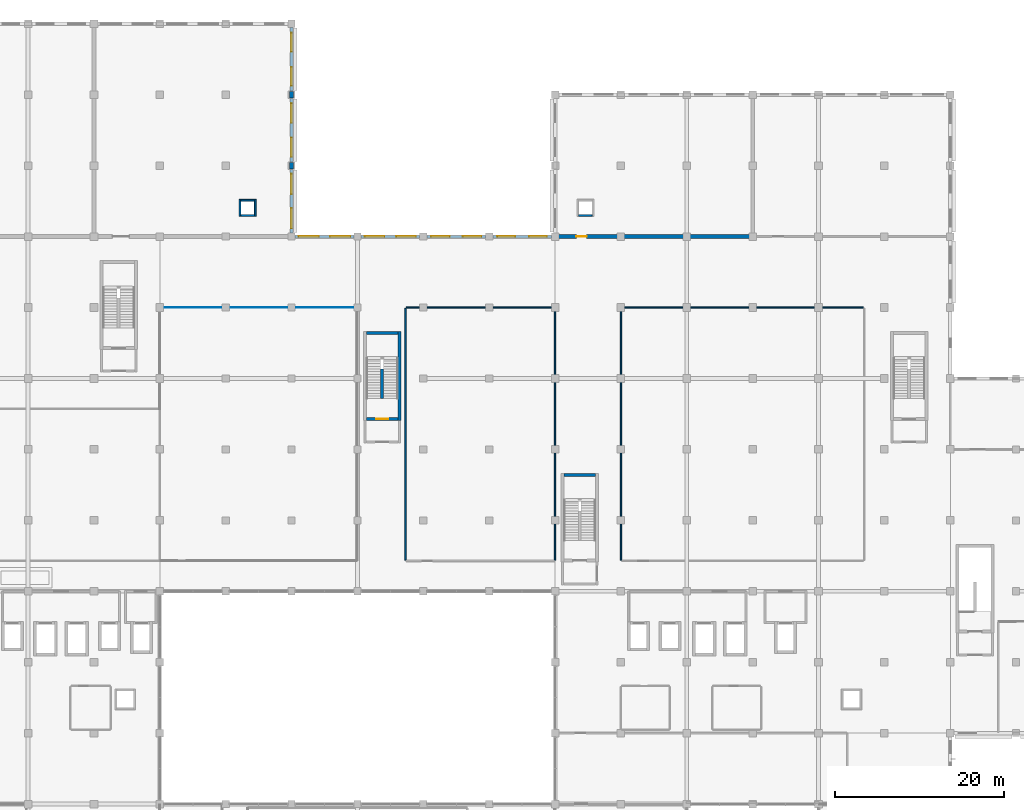
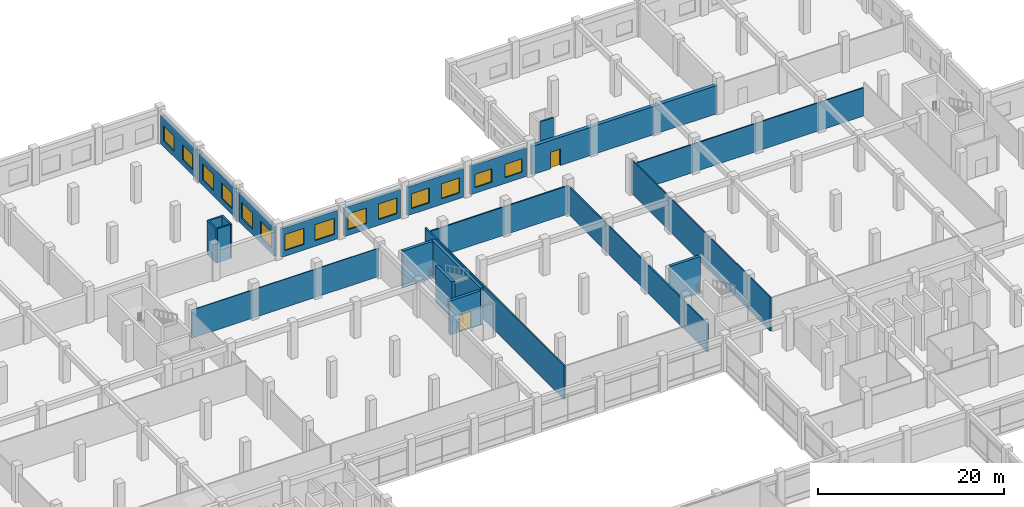
# One storey, part 61 of 79: 26 walls, 14 windows, 2 doors, 16 openings.
"""IFC4 building model written with IfcOpenShell, lengths in metres."""

from ifc_helpers import new_model, si_unit, direction, frame, frame_2d, origin, place, context, subcontext, project, spatial, rectangle, extrude, material, layer, layer_set, type_object, element, fill, save


model = new_model("IFC4")

# Units and contexts
model_context = context("Model", 3, precision=1e-05, world=origin(), true_north=direction((0.0, 1.0)))
body_context = subcontext(model_context, "Body", "Model", "MODEL_VIEW")
ifc_project = project(units=[si_unit("LENGTHUNIT", "METRE"), si_unit("AREAUNIT", "SQUARE_METRE"), si_unit("VOLUMEUNIT", "CUBIC_METRE"), si_unit("PLANEANGLEUNIT", "RADIAN"), si_unit("MASSUNIT", "GRAM", prefix="KILO"), si_unit("THERMODYNAMICTEMPERATUREUNIT", "KELVIN"), si_unit("POWERUNIT", "WATT")], contexts=[model_context])

# Site, building, storey
site_placement = place(None, origin())
site = spatial("IfcSite", under=ifc_project, at=site_placement, CompositionType="ELEMENT")
building_placement = place(site_placement, origin())
building = spatial("IfcBuilding", under=site, at=building_placement, Name="Srebrne Nadtorze General Hospital", CompositionType="ELEMENT")
storey_placement = place(building_placement, frame((0.0, 0.0, 4.800048828125)))
storey = spatial("IfcBuildingStorey", under=building, at=storey_placement, Name="L01", CompositionType="ELEMENT", Elevation=4.800048828125)

# Walls
ifc_material_1 = material(Name="Gypsum Healthcare Partition")
ifc_layer_1 = layer(ifc_material_1, 0.139892578125)
ifc_layer_set_1 = layer_set([ifc_layer_1], Name="Gypsum Healthcare Partition")
wall_type_1 = type_object("IfcWallType", Name="Clinical partition 140", PredefinedType="PARTITIONING", material=ifc_layer_set_1)
wall_1_placement = place(storey_placement, frame((109.284912109375, 84.0, 0.0), z_axis=(0.0, 0.0, 1.0), x_axis=(1.0, 0.0, 0.0)))
element("IfcWall", 1, at=wall_1_placement, inside=storey, type_object=wall_type_1, Name="Nuclear Medicine Diagnostics wall WL-INT-L01-1448", PredefinedType="PARTITIONING", context=body_context, shape_type="SweptSolid", body=[
    extrude(rectangle(XDim=28.630126953125, YDim=0.139892578125, at=frame_2d((14.31494140625, 0.0))), origin(), (0.0, 0.0, 1.0), 3.699951171875),
])
wall_2_placement = place(storey_placement, frame((109.199951171875, 54.0849609375, 0.0), z_axis=(0.0, 0.0, 1.0), x_axis=(0.0, 1.0, 0.0)))
element("IfcWall", 2, at=wall_2_placement, inside=storey, type_object=wall_type_1, Name="Nuclear Medicine Diagnostics wall WL-INT-L01-1449", PredefinedType="PARTITIONING", context=body_context, shape_type="SweptSolid", body=[
    extrude(rectangle(XDim=29.830078125, YDim=0.139892578125, at=frame_2d((14.9150390625, 0.0))), origin(), (0.0, 0.0, 1.0), 4.429931640625),
])
ifc_material_2 = material(Name="Gypsum Healthcare Partition")
ifc_layer_2 = layer(ifc_material_2, 0.159912109375)
ifc_layer_set_2 = layer_set([ifc_layer_2], Name="Gypsum Healthcare Partition")
wall_type_2 = type_object("IfcWallType", Name="Clinical partition 160", PredefinedType="PARTITIONING", material=ifc_layer_set_2)
wall_3_placement = place(storey_placement, frame((83.760009765625, 84.0, 0.0), z_axis=(0.0, 0.0, 1.0), x_axis=(1.0, 0.0, 0.0)))
element("IfcWall", 3, at=wall_3_placement, inside=storey, type_object=wall_type_2, Name="Radiology Reporting Workroom wall WL-INT-L01-1444", PredefinedType="PARTITIONING", context=body_context, shape_type="SweptSolid", body=[
    extrude(rectangle(XDim=17.554931640625, YDim=0.159912109375, at=frame_2d((8.77734375, 0.0))), origin(), (0.0, 0.0, 1.0), 3.699951171875),
])
wall_4_placement = place(storey_placement, frame((83.675048828125, 54.0849609375, 0.0), z_axis=(0.0, 0.0, 1.0), x_axis=(0.0, 1.0, 0.0)))
element("IfcWall", 4, at=wall_4_placement, inside=storey, type_object=wall_type_2, Name="Radiology Reporting Workroom wall WL-INT-L01-1445", PredefinedType="PARTITIONING", context=body_context, shape_type="SweptSolid", body=[
    extrude(rectangle(XDim=29.830078125, YDim=0.159912109375, at=frame_2d((14.9150390625, 0.0))), origin(), (0.0, 0.0, 1.0), 4.429931640625),
])
wall_5_placement = place(storey_placement, frame((101.39990234375, 54.0849609375, 0.0), z_axis=(0.0, 0.0, 1.0), x_axis=(0.0, 1.0, 0.0)))
element("IfcWall", 5, at=wall_5_placement, inside=storey, type_object=wall_type_2, Name="Radiology Reporting Workroom wall WL-INT-L01-1446", PredefinedType="PARTITIONING", context=body_context, shape_type="SweptSolid", body=[
    extrude(rectangle(XDim=29.830078125, YDim=0.159912109375, at=frame_2d((14.9150390625, 0.0))), origin(), (0.0, 0.0, 1.0), 3.699951171875),
])
ifc_material_3 = material(Name="Gypsum Healthcare Partition")
ifc_layer_3 = layer(ifc_material_3, 0.199951171875)
ifc_layer_set_3 = layer_set([ifc_layer_3], Name="Gypsum Healthcare Partition")
wall_type_3 = type_object("IfcWallType", Name="Compartment wall 200", PredefinedType="STANDARD", material=ifc_layer_set_3)
for number, where, z_axis, x_axis, name in (
    (6, (64.10009765625, 94.800048828125, 0.0), (0.0, 0.0, 1.0), (0.0, 1.0, 0.0), "MEP riser wall WL-INT-L01-0965"),
    (7, (65.89990234375, 94.800048828125, 0.0), (0.0, 0.0, 1.0), (0.0, 1.0, 0.0), "MEP riser wall WL-INT-L01-0966"),
):
    element("IfcWall", number, at=place(storey_placement, frame(where, z_axis=z_axis, x_axis=x_axis)), inside=storey, type_object=wall_type_3, Name=name, PredefinedType="STANDARD", context=body_context, shape_type="SweptSolid", body=[
        extrude(rectangle(XDim=2.0, YDim=0.199951171875, at=frame_2d((1.0, 0.0))), origin(), (0.0, 0.0, 1.0), 4.449951171875),
    ])
for number, where, z_axis, x_axis, name in (
    (8, (64.199951171875, 94.89990234375, 0.0), (0.0, 0.0, 1.0), (1.0, 0.0, 0.0), "MEP riser wall WL-INT-L01-0967"),
    (9, (64.199951171875, 96.699951171875, 0.0), (0.0, 0.0, 1.0), (1.0, 0.0, 0.0), "MEP riser wall WL-INT-L01-0968"),
    (10, (104.199951171875, 94.89990234375, 0.0), (0.0, 0.0, 1.0), (1.0, 0.0, 0.0), "MEP riser wall WL-INT-L01-0971"),
):
    element("IfcWall", number, at=place(storey_placement, frame(where, z_axis=z_axis, x_axis=x_axis)), inside=storey, type_object=wall_type_3, Name=name, PredefinedType="STANDARD", context=body_context, shape_type="SweptSolid", body=[
        extrude(rectangle(XDim=1.60009765625, YDim=0.199951171875, at=frame_2d((0.800048828125, 0.0))), origin(), (0.0, 0.0, 1.0), 4.449951171875),
    ])
ifc_material_4 = material(Name="Concrete C35/45", Category="concrete")
ifc_layer_4 = layer(ifc_material_4, 0.449951171875)
ifc_layer_set_4 = layer_set([ifc_layer_4], Name="Concrete C35/45")
wall_type_4 = type_object("IfcWallType", Name="Radiation shield wall 450", PredefinedType="STANDARD", material=ifc_layer_set_4)
for number, where, z_axis, x_axis, name in (
    (11, (70.199951171875, 100.4150390625, 0.0), (0.0, 0.0, 1.0), (0.0, 1.0, 0.0), "Diagnostic Imaging CT Suite wall WL-INT-L01-1424"),
    (12, (70.199951171875, 108.81494140625, 0.0), (0.0, 0.0, 1.0), (0.0, 1.0, 0.0), "Diagnostic Imaging CT Suite wall WL-INT-L01-1425"),
):
    element("IfcWall", number, at=place(storey_placement, frame(where, z_axis=z_axis, x_axis=x_axis)), inside=storey, type_object=wall_type_4, Name=name, PredefinedType="STANDARD", context=body_context, shape_type="SweptSolid", body=[
        extrude(rectangle(XDim=0.77001953125, YDim=0.449951171875, at=frame_2d((0.385009765625, 0.0))), origin(), (0.0, 0.0, 1.0), 3.699951171875),
    ])

# Wall, opening, door
wall_6_placement = place(storey_placement, frame((101.614990234375, 92.39990234375, 0.0), z_axis=(0.0, 0.0, 1.0), x_axis=(1.0, 0.0, 0.0)))
wall_6 = element("IfcWall", 13, at=wall_6_placement, inside=storey, type_object=wall_type_4, Name="Diagnostic Imaging Radiography wall WL-INT-L01-1426", PredefinedType="STANDARD", context=body_context, shape_type="SweptSolid", body=[
    extrude(rectangle(XDim=22.969970703125, YDim=0.449951171875, at=frame_2d((11.48486328125, 0.0))), origin(), (0.0, 0.0, 1.0), 3.699951171875),
])
opening_1_placement = place(wall_6_placement, frame((2.318115234375, 0.0, 0.0)))
opening_1 = element("IfcOpeningElement", 14, at=opening_1_placement, cuts=wall_6, Name="Opening D-L01-0222", PredefinedType="OPENING", context=body_context, shape_type="SweptSolid", body=[
    extrude(rectangle(XDim=1.199951171875, YDim=2.14990234375, at=frame_2d((0.60009765625, 1.074951171875))), frame((0.0, 0.23681640625, 0.0), z_axis=(0.0, -1.0, 0.0), x_axis=(1.0, 0.0, 0.0)), (0.0, 0.0, 1.0), 0.473876953125),
])
ifc_material_5 = material(Name="Anodised Aluminium", Category="aluminium")
door_type_1 = type_object("IfcDoorType", Name="Single leaf door 1200x2150", OperationType="NOTDEFINED", PredefinedType="DOOR", material=ifc_material_5)
door_1_placement = place(opening_1_placement, origin())
door_1 = element("IfcDoor", 15, at=door_1_placement, inside=storey, type_object=door_type_1, Name="Diagnostic Imaging Radiography door D-L01-0222", OperationType="SINGLE_SWING_LEFT", OverallHeight=2.14990234375, OverallWidth=1.199951171875, PredefinedType="DOOR", context=body_context, shape_type="SweptSolid", body=[
    extrude(rectangle(XDim=1.199951171875, YDim=2.14990234375, at=frame_2d((0.60009765625, 1.074951171875))), frame((0.0, 0.02490234375, 0.0), z_axis=(0.0, -1.0, 0.0), x_axis=(1.0, 0.0, 0.0)), (0.0, 0.0, 1.0), 0.050048828125),
])
fill(opening_1, door_1)

# Walls
ifc_material_6 = material(Name="Gypsum Healthcare Partition")
ifc_layer_5 = layer(ifc_material_6, 0.10009765625)
ifc_layer_set_5 = layer_set([ifc_layer_5], Name="Gypsum Healthcare Partition")
wall_type_5 = type_object("IfcWallType", Name="Shaft lining wall 100", PredefinedType="PARTITIONING", material=ifc_layer_set_5)
wall_7_placement = place(storey_placement, frame((54.68505859375, 84.0, 0.0), z_axis=(0.0, 0.0, 1.0), x_axis=(1.0, 0.0, 0.0)))
element("IfcWall", 16, at=wall_7_placement, inside=storey, type_object=wall_type_5, Name="Angiography and Fluoroscopy Suite wall WL-INT-L01-1440", PredefinedType="PARTITIONING", context=body_context, shape_type="SweptSolid", body=[
    extrude(rectangle(XDim=23.22998046875, YDim=0.10009765625, at=frame_2d((11.614990234375, 0.0))), origin(), (0.0, 0.0, 1.0), 3.699951171875),
])
ifc_material_7 = material(Name="Concrete C40/50", Category="concrete")
ifc_layer_6 = layer(ifc_material_7, 0.35009765625)
ifc_layer_set_6 = layer_set([ifc_layer_6], Name="Concrete C40/50")
wall_type_6 = type_object("IfcWallType", Name="Shear core wall 350", PredefinedType="SHEAR", material=ifc_layer_set_6)
wall_8_placement = place(storey_placement, frame((102.449951171875, 64.175048828125, 0.0), z_axis=(0.0, 0.0, 1.0), x_axis=(1.0, 0.0, 0.0)))
element("IfcWall", 17, at=wall_8_placement, inside=storey, type_object=wall_type_6, Name="Stair core wall ST-03 WL-INT-L01-0147", PredefinedType="SHEAR", context=body_context, shape_type="SweptSolid", body=[
    extrude(rectangle(XDim=3.75, YDim=0.35009765625, at=frame_2d((1.875, 0.0))), origin(), (0.0, 0.0, 1.0), 4.800048828125),
])
wall_9_placement = place(storey_placement, frame((82.97509765625, 70.64990234375, 0.0), z_axis=(0.0, 0.0, 1.0), x_axis=(0.0, 1.0, 0.0)))
element("IfcWall", 18, at=wall_9_placement, inside=storey, type_object=wall_type_6, Name="Stair core wall ST-07 WL-INT-L01-0178", PredefinedType="SHEAR", context=body_context, shape_type="SweptSolid", body=[
    extrude(rectangle(XDim=10.5, YDim=0.35009765625, at=frame_2d((5.25, 0.0))), origin(), (0.0, 0.0, 1.0), 4.800048828125),
])
wall_10_placement = place(storey_placement, frame((79.050048828125, 80.97509765625, 0.0), z_axis=(0.0, 0.0, 1.0), x_axis=(1.0, 0.0, 0.0)))
element("IfcWall", 19, at=wall_10_placement, inside=storey, type_object=wall_type_6, Name="Stair core wall ST-07 WL-INT-L01-0179", PredefinedType="SHEAR", context=body_context, shape_type="SweptSolid", body=[
    extrude(rectangle(XDim=3.75, YDim=0.35009765625, at=frame_2d((1.875, 0.0))), origin(), (0.0, 0.0, 1.0), 4.800048828125),
])

# Wall, opening, door
wall_11_placement = place(storey_placement, frame((79.050048828125, 70.824951171875, 0.0), z_axis=(0.0, 0.0, 1.0), x_axis=(1.0, 0.0, 0.0)))
wall_11 = element("IfcWall", 20, at=wall_11_placement, inside=storey, type_object=wall_type_6, Name="Stairwell fire wall ST-07 WL-INT-L01-0180", PredefinedType="SHEAR", context=body_context, shape_type="SweptSolid", body=[
    extrude(rectangle(XDim=3.75, YDim=0.35009765625, at=frame_2d((1.875, 0.0))), origin(), (0.0, 0.0, 1.0), 4.449951171875),
])
opening_2_placement = place(wall_11_placement, frame((1.14990234375, 0.0, 0.0)))
opening_2 = element("IfcOpeningElement", 21, at=opening_2_placement, cuts=wall_11, Name="Opening D-L01-0045", PredefinedType="OPENING", context=body_context, shape_type="SweptSolid", body=[
    extrude(rectangle(XDim=1.449951171875, YDim=2.199951171875, at=frame_2d((0.72509765625, 1.10009765625))), frame((0.0, 0.18701171875, 0.0), z_axis=(0.0, -1.0, 0.0), x_axis=(1.0, 0.0, 0.0)), (0.0, 0.0, 1.0), 0.3740234375),
])
ifc_material_8 = material(Name="Anodised Aluminium", Category="aluminium")
door_type_2 = type_object("IfcDoorType", Name="Double leaf door 1450x2200", OperationType="DOUBLE_DOOR_SINGLE_SWING", PredefinedType="DOOR", material=ifc_material_8)
door_2_placement = place(opening_2_placement, origin())
door_2 = element("IfcDoor", 22, at=door_2_placement, inside=storey, type_object=door_type_2, Name="Protected stair door ST-07 D-L01-0045", OperationType="DOUBLE_DOOR_SINGLE_SWING", OverallHeight=2.199951171875, OverallWidth=1.449951171875, PredefinedType="DOOR", context=body_context, shape_type="SweptSolid", body=[
    extrude(rectangle(XDim=1.449951171875, YDim=2.199951171875, at=frame_2d((0.72509765625, 1.10009765625))), frame((0.0, 0.02490234375, 0.0), z_axis=(0.0, -1.0, 0.0), x_axis=(1.0, 0.0, 0.0)), (0.0, 0.0, 1.0), 0.050048828125),
])
fill(opening_2, door_2)

# Wall
wall_12_placement = place(storey_placement, frame((80.925048828125, 73.199951171875, 0.0), z_axis=(0.0, 0.0, 1.0), x_axis=(0.0, 1.0, 0.0)))
element("IfcWall", 23, at=wall_12_placement, inside=storey, type_object=wall_type_6, Name="Stair spine wall ST-07 WL-INT-L01-0184", PredefinedType="SHEAR", context=body_context, shape_type="SweptSolid", body=[
    extrude(rectangle(XDim=3.52001953125, YDim=0.35009765625, at=frame_2d((1.760009765625, 0.0))), origin(), (0.0, 0.0, 1.0), 4.800048828125),
])

# Wall, openings, windows
ifc_material_9 = material(Name="Concrete C35/45", Category="concrete")
ifc_layer_7 = layer(ifc_material_9, 0.320068359375)
ifc_layer_set_7 = layer_set([ifc_layer_7], Name="Concrete C35/45")
wall_type_7 = type_object("IfcWallType", Name="Spandrel wall 320", PredefinedType="STANDARD", material=ifc_layer_set_7)
wall_13_placement = place(storey_placement, frame((70.625, 92.39990234375, 0.0), z_axis=(0.0, 0.0, 1.0), x_axis=(1.0, 0.0, 0.0)))
wall_13 = element("IfcWall", 24, at=wall_13_placement, inside=storey, type_object=wall_type_7, Name="Exterior wall WL-ENV-L01-0168", PredefinedType="STANDARD", context=body_context, shape_type="SweptSolid", body=[
    extrude(rectangle(XDim=6.949951171875, YDim=0.320068359375, at=frame_2d((3.47509765625, 0.0))), origin(), (0.0, 0.0, 1.0), 3.75),
])
opening_3_placement = place(wall_13_placement, frame((0.403076171875, 0.0, 0.75)))
opening_3 = element("IfcOpeningElement", 25, at=opening_3_placement, cuts=wall_13, Name="Opening WN-L01-0156", PredefinedType="OPENING", context=body_context, shape_type="SweptSolid", body=[
    extrude(rectangle(XDim=2.39990234375, YDim=2.10009765625, at=frame_2d((1.199951171875, 1.050048828125))), frame((0.0, 0.171875, 0.0), z_axis=(0.0, -1.0, 0.0), x_axis=(1.0, 0.0, 0.0)), (0.0, 0.0, 1.0), 0.343994140625),
])
opening_4_placement = place(wall_13_placement, frame((4.14697265625, 0.0, 0.75)))
opening_4 = element("IfcOpeningElement", 26, at=opening_4_placement, cuts=wall_13, Name="Opening WN-L01-0157", PredefinedType="OPENING", context=body_context, shape_type="SweptSolid", body=[
    extrude(rectangle(XDim=2.39990234375, YDim=2.10009765625, at=frame_2d((1.199951171875, 1.050048828125))), frame((0.0, 0.171875, 0.0), z_axis=(0.0, -1.0, 0.0), x_axis=(1.0, 0.0, 0.0)), (0.0, 0.0, 1.0), 0.343994140625),
])
ifc_material_10 = material(Name="Triple Low-E Glazing", Category="glass")
window_type_1 = type_object("IfcWindowType", Name="Punched clinical window 2400x2100", PartitioningType="DOUBLE_PANEL_VERTICAL", PredefinedType="WINDOW", material=ifc_material_10)
window_1_placement = place(opening_3_placement, origin())
window_1 = element("IfcWindow", 27, at=window_1_placement, inside=storey, type_object=window_type_1, Name="Clinical window WN-L01-0156", OverallHeight=2.10009765625, OverallWidth=2.39990234375, PartitioningType="DOUBLE_PANEL_VERTICAL", PredefinedType="WINDOW", context=body_context, shape_type="SweptSolid", body=[
    extrude(rectangle(XDim=2.39990234375, YDim=2.10009765625, at=frame_2d((1.199951171875, 1.050048828125))), frame((0.0, 0.030029296875, 0.0), z_axis=(0.0, -1.0, 0.0), x_axis=(1.0, 0.0, 0.0)), (0.0, 0.0, 1.0), 0.06005859375),
])
fill(opening_3, window_1)
window_2_placement = place(opening_4_placement, origin())
window_2 = element("IfcWindow", 28, at=window_2_placement, inside=storey, type_object=window_type_1, Name="Clinical window WN-L01-0157", OverallHeight=2.10009765625, OverallWidth=2.39990234375, PartitioningType="DOUBLE_PANEL_VERTICAL", PredefinedType="WINDOW", context=body_context, shape_type="SweptSolid", body=[
    extrude(rectangle(XDim=2.39990234375, YDim=2.10009765625, at=frame_2d((1.199951171875, 1.050048828125))), frame((0.0, 0.030029296875, 0.0), z_axis=(0.0, -1.0, 0.0), x_axis=(1.0, 0.0, 0.0)), (0.0, 0.0, 1.0), 0.06005859375),
])
fill(opening_4, window_2)

wall_14_placement = place(storey_placement, frame((78.425048828125, 92.39990234375, 0.0), z_axis=(0.0, 0.0, 1.0), x_axis=(1.0, 0.0, 0.0)))
wall_14 = element("IfcWall", 29, at=wall_14_placement, inside=storey, type_object=wall_type_7, Name="Exterior wall WL-ENV-L01-0169", PredefinedType="STANDARD", context=body_context, shape_type="SweptSolid", body=[
    extrude(rectangle(XDim=6.949951171875, YDim=0.320068359375, at=frame_2d((3.47509765625, 0.0))), origin(), (0.0, 0.0, 1.0), 3.75),
])
opening_5_placement = place(wall_14_placement, frame((0.452880859375, 0.0, 0.75)))
opening_5 = element("IfcOpeningElement", 30, at=opening_5_placement, cuts=wall_14, Name="Opening WN-L01-0158", PredefinedType="OPENING", context=body_context, shape_type="SweptSolid", body=[
    extrude(rectangle(XDim=2.300048828125, YDim=2.050048828125, at=frame_2d((1.14990234375, 1.02490234375))), frame((0.0, 0.171875, 0.0), z_axis=(0.0, -1.0, 0.0), x_axis=(1.0, 0.0, 0.0)), (0.0, 0.0, 1.0), 0.343994140625),
])
opening_6_placement = place(wall_14_placement, frame((4.197021484375, 0.0, 0.75)))
opening_6 = element("IfcOpeningElement", 31, at=opening_6_placement, cuts=wall_14, Name="Opening WN-L01-0159", PredefinedType="OPENING", context=body_context, shape_type="SweptSolid", body=[
    extrude(rectangle(XDim=2.300048828125, YDim=2.050048828125, at=frame_2d((1.14990234375, 1.02490234375))), frame((0.0, 0.171875, 0.0), z_axis=(0.0, -1.0, 0.0), x_axis=(1.0, 0.0, 0.0)), (0.0, 0.0, 1.0), 0.343994140625),
])
ifc_material_11 = material(Name="Triple Low-E Glazing", Category="glass")
window_type_2 = type_object("IfcWindowType", Name="Punched clinical window 2300x2050", PartitioningType="DOUBLE_PANEL_VERTICAL", PredefinedType="WINDOW", material=ifc_material_11)
window_3_placement = place(opening_5_placement, origin())
window_3 = element("IfcWindow", 32, at=window_3_placement, inside=storey, type_object=window_type_2, Name="Clinical window WN-L01-0158", OverallHeight=2.050048828125, OverallWidth=2.300048828125, PartitioningType="DOUBLE_PANEL_VERTICAL", PredefinedType="WINDOW", context=body_context, shape_type="SweptSolid", body=[
    extrude(rectangle(XDim=2.300048828125, YDim=2.050048828125, at=frame_2d((1.14990234375, 1.02490234375))), frame((0.0, 0.030029296875, 0.0), z_axis=(0.0, -1.0, 0.0), x_axis=(1.0, 0.0, 0.0)), (0.0, 0.0, 1.0), 0.06005859375),
])
fill(opening_5, window_3)
window_4_placement = place(opening_6_placement, origin())
window_4 = element("IfcWindow", 33, at=window_4_placement, inside=storey, type_object=window_type_2, Name="Clinical window WN-L01-0159", OverallHeight=2.050048828125, OverallWidth=2.300048828125, PartitioningType="DOUBLE_PANEL_VERTICAL", PredefinedType="WINDOW", context=body_context, shape_type="SweptSolid", body=[
    extrude(rectangle(XDim=2.300048828125, YDim=2.050048828125, at=frame_2d((1.14990234375, 1.02490234375))), frame((0.0, 0.030029296875, 0.0), z_axis=(0.0, -1.0, 0.0), x_axis=(1.0, 0.0, 0.0)), (0.0, 0.0, 1.0), 0.06005859375),
])
fill(opening_6, window_4)

wall_15_placement = place(storey_placement, frame((86.22509765625, 92.39990234375, 0.0), z_axis=(0.0, 0.0, 1.0), x_axis=(1.0, 0.0, 0.0)))
wall_15 = element("IfcWall", 34, at=wall_15_placement, inside=storey, type_object=wall_type_7, Name="Exterior wall WL-ENV-L01-0170", PredefinedType="STANDARD", context=body_context, shape_type="SweptSolid", body=[
    extrude(rectangle(XDim=6.949951171875, YDim=0.320068359375, at=frame_2d((3.47509765625, 0.0))), origin(), (0.0, 0.0, 1.0), 3.75),
])
opening_7_placement = place(wall_15_placement, frame((0.5029296875, 0.0, 0.75)))
opening_7 = element("IfcOpeningElement", 35, at=opening_7_placement, cuts=wall_15, Name="Opening WN-L01-0160", PredefinedType="OPENING", context=body_context, shape_type="SweptSolid", body=[
    extrude(rectangle(XDim=2.199951171875, YDim=1.949951171875, at=frame_2d((1.10009765625, 0.97509765625))), frame((0.0, 0.171875, 0.0), z_axis=(0.0, -1.0, 0.0), x_axis=(1.0, 0.0, 0.0)), (0.0, 0.0, 1.0), 0.343994140625),
])
opening_8_placement = place(wall_15_placement, frame((4.2470703125, 0.0, 0.75)))
opening_8 = element("IfcOpeningElement", 36, at=opening_8_placement, cuts=wall_15, Name="Opening WN-L01-0161", PredefinedType="OPENING", context=body_context, shape_type="SweptSolid", body=[
    extrude(rectangle(XDim=2.199951171875, YDim=1.949951171875, at=frame_2d((1.10009765625, 0.97509765625))), frame((0.0, 0.171875, 0.0), z_axis=(0.0, -1.0, 0.0), x_axis=(1.0, 0.0, 0.0)), (0.0, 0.0, 1.0), 0.343994140625),
])
ifc_material_12 = material(Name="Triple Low-E Glazing", Category="glass")
window_type_3 = type_object("IfcWindowType", Name="Punched clinical window 2200x1950", PartitioningType="DOUBLE_PANEL_VERTICAL", PredefinedType="WINDOW", material=ifc_material_12)
window_5_placement = place(opening_7_placement, origin())
window_5 = element("IfcWindow", 37, at=window_5_placement, inside=storey, type_object=window_type_3, Name="Clinical window WN-L01-0160", OverallHeight=1.949951171875, OverallWidth=2.199951171875, PartitioningType="DOUBLE_PANEL_VERTICAL", PredefinedType="WINDOW", context=body_context, shape_type="SweptSolid", body=[
    extrude(rectangle(XDim=2.199951171875, YDim=1.949951171875, at=frame_2d((1.10009765625, 0.97509765625))), frame((0.0, 0.030029296875, 0.0), z_axis=(0.0, -1.0, 0.0), x_axis=(1.0, 0.0, 0.0)), (0.0, 0.0, 1.0), 0.06005859375),
])
fill(opening_7, window_5)
window_6_placement = place(opening_8_placement, origin())
window_6 = element("IfcWindow", 38, at=window_6_placement, inside=storey, type_object=window_type_3, Name="Clinical window WN-L01-0161", OverallHeight=1.949951171875, OverallWidth=2.199951171875, PartitioningType="DOUBLE_PANEL_VERTICAL", PredefinedType="WINDOW", context=body_context, shape_type="SweptSolid", body=[
    extrude(rectangle(XDim=2.199951171875, YDim=1.949951171875, at=frame_2d((1.10009765625, 0.97509765625))), frame((0.0, 0.030029296875, 0.0), z_axis=(0.0, -1.0, 0.0), x_axis=(1.0, 0.0, 0.0)), (0.0, 0.0, 1.0), 0.06005859375),
])
fill(opening_8, window_6)

wall_16_placement = place(storey_placement, frame((94.02490234375, 92.39990234375, 0.0), z_axis=(0.0, 0.0, 1.0), x_axis=(1.0, 0.0, 0.0)))
wall_16 = element("IfcWall", 39, at=wall_16_placement, inside=storey, type_object=wall_type_7, Name="Exterior wall WL-ENV-L01-0171", PredefinedType="STANDARD", context=body_context, shape_type="SweptSolid", body=[
    extrude(rectangle(XDim=6.925048828125, YDim=0.320068359375, at=frame_2d((3.46240234375, 0.0))), origin(), (0.0, 0.0, 1.0), 3.75),
])
opening_9_placement = place(wall_16_placement, frame((0.552978515625, 0.0, 0.75)))
opening_9 = element("IfcOpeningElement", 40, at=opening_9_placement, cuts=wall_16, Name="Opening WN-L01-0162", PredefinedType="OPENING", context=body_context, shape_type="SweptSolid", body=[
    extrude(rectangle(XDim=2.10009765625, YDim=1.75, at=frame_2d((1.050048828125, 0.875))), frame((0.0, 0.171875, 0.0), z_axis=(0.0, -1.0, 0.0), x_axis=(1.0, 0.0, 0.0)), (0.0, 0.0, 1.0), 0.343994140625),
])
opening_10_placement = place(wall_16_placement, frame((4.297119140625, 0.0, 0.75)))
opening_10 = element("IfcOpeningElement", 41, at=opening_10_placement, cuts=wall_16, Name="Opening WN-L01-0163", PredefinedType="OPENING", context=body_context, shape_type="SweptSolid", body=[
    extrude(rectangle(XDim=2.10009765625, YDim=1.75, at=frame_2d((1.050048828125, 0.875))), frame((0.0, 0.171875, 0.0), z_axis=(0.0, -1.0, 0.0), x_axis=(1.0, 0.0, 0.0)), (0.0, 0.0, 1.0), 0.343994140625),
])
ifc_material_13 = material(Name="Triple Low-E Glazing", Category="glass")
window_type_4 = type_object("IfcWindowType", Name="Punched clinical window 2100x1750", PartitioningType="DOUBLE_PANEL_VERTICAL", PredefinedType="WINDOW", material=ifc_material_13)
window_7_placement = place(opening_9_placement, origin())
window_7 = element("IfcWindow", 42, at=window_7_placement, inside=storey, type_object=window_type_4, Name="Clinical window WN-L01-0162", OverallHeight=1.75, OverallWidth=2.10009765625, PartitioningType="DOUBLE_PANEL_VERTICAL", PredefinedType="WINDOW", context=body_context, shape_type="SweptSolid", body=[
    extrude(rectangle(XDim=2.10009765625, YDim=1.75, at=frame_2d((1.050048828125, 0.875))), frame((0.0, 0.030029296875, 0.0), z_axis=(0.0, -1.0, 0.0), x_axis=(1.0, 0.0, 0.0)), (0.0, 0.0, 1.0), 0.06005859375),
])
fill(opening_9, window_7)
window_8_placement = place(opening_10_placement, origin())
window_8 = element("IfcWindow", 43, at=window_8_placement, inside=storey, type_object=window_type_4, Name="Clinical window WN-L01-0163", OverallHeight=1.75, OverallWidth=2.10009765625, PartitioningType="DOUBLE_PANEL_VERTICAL", PredefinedType="WINDOW", context=body_context, shape_type="SweptSolid", body=[
    extrude(rectangle(XDim=2.10009765625, YDim=1.75, at=frame_2d((1.050048828125, 0.875))), frame((0.0, 0.030029296875, 0.0), z_axis=(0.0, -1.0, 0.0), x_axis=(1.0, 0.0, 0.0)), (0.0, 0.0, 1.0), 0.06005859375),
])
fill(opening_10, window_8)

wall_17_placement = place(storey_placement, frame((70.199951171875, 92.824951171875, 0.0), z_axis=(0.0, 0.0, 1.0), x_axis=(0.0, 1.0, 0.0)))
wall_17 = element("IfcWall", 44, at=wall_17_placement, inside=storey, type_object=wall_type_7, Name="Exterior wall WL-ENV-L01-0198", PredefinedType="STANDARD", context=body_context, shape_type="SweptSolid", body=[
    extrude(rectangle(XDim=7.550048828125, YDim=0.320068359375, at=frame_2d((3.77490234375, 0.0))), origin(), (0.0, 0.0, 1.0), 3.75),
])
opening_11_placement = place(wall_17_placement, frame((0.55908203125, 0.0, 0.75)))
opening_11 = element("IfcOpeningElement", 45, at=opening_11_placement, cuts=wall_17, Name="Opening WN-L01-0215", PredefinedType="OPENING", context=body_context, shape_type="SweptSolid", body=[
    extrude(rectangle(XDim=2.39990234375, YDim=2.10009765625, at=frame_2d((1.199951171875, 1.050048828125))), frame((0.0, 0.171875, 0.0), z_axis=(0.0, -1.0, 0.0), x_axis=(1.0, 0.0, 0.0)), (0.0, 0.0, 1.0), 0.343994140625),
])
opening_12_placement = place(wall_17_placement, frame((4.591064453125, 0.0, 0.75)))
opening_12 = element("IfcOpeningElement", 46, at=opening_12_placement, cuts=wall_17, Name="Opening WN-L01-0216", PredefinedType="OPENING", context=body_context, shape_type="SweptSolid", body=[
    extrude(rectangle(XDim=2.39990234375, YDim=2.10009765625, at=frame_2d((1.199951171875, 1.050048828125))), frame((0.0, 0.171875, 0.0), z_axis=(0.0, -1.0, 0.0), x_axis=(1.0, 0.0, 0.0)), (0.0, 0.0, 1.0), 0.343994140625),
])
window_9_placement = place(opening_11_placement, origin())
window_9 = element("IfcWindow", 47, at=window_9_placement, inside=storey, type_object=window_type_1, Name="Clinical window WN-L01-0215", OverallHeight=2.10009765625, OverallWidth=2.39990234375, PartitioningType="DOUBLE_PANEL_VERTICAL", PredefinedType="WINDOW", context=body_context, shape_type="SweptSolid", body=[
    extrude(rectangle(XDim=2.39990234375, YDim=2.10009765625, at=frame_2d((1.199951171875, 1.050048828125))), frame((0.0, 0.030029296875, 0.0), z_axis=(0.0, -1.0, 0.0), x_axis=(1.0, 0.0, 0.0)), (0.0, 0.0, 1.0), 0.06005859375),
])
fill(opening_11, window_9)
window_10_placement = place(opening_12_placement, origin())
window_10 = element("IfcWindow", 48, at=window_10_placement, inside=storey, type_object=window_type_1, Name="Clinical window WN-L01-0216", OverallHeight=2.10009765625, OverallWidth=2.39990234375, PartitioningType="DOUBLE_PANEL_VERTICAL", PredefinedType="WINDOW", context=body_context, shape_type="SweptSolid", body=[
    extrude(rectangle(XDim=2.39990234375, YDim=2.10009765625, at=frame_2d((1.199951171875, 1.050048828125))), frame((0.0, 0.030029296875, 0.0), z_axis=(0.0, -1.0, 0.0), x_axis=(1.0, 0.0, 0.0)), (0.0, 0.0, 1.0), 0.06005859375),
])
fill(opening_12, window_10)

wall_18_placement = place(storey_placement, frame((70.199951171875, 101.22509765625, 0.0), z_axis=(0.0, 0.0, 1.0), x_axis=(0.0, 1.0, 0.0)))
wall_18 = element("IfcWall", 49, at=wall_18_placement, inside=storey, type_object=wall_type_7, Name="Exterior wall WL-ENV-L01-0199", PredefinedType="STANDARD", context=body_context, shape_type="SweptSolid", body=[
    extrude(rectangle(XDim=7.5498046875, YDim=0.320068359375, at=frame_2d((3.77490234375, 0.0))), origin(), (0.0, 0.0, 1.0), 3.75),
])
opening_13_placement = place(wall_18_placement, frame((0.60888671875, 0.0, 0.75)))
opening_13 = element("IfcOpeningElement", 50, at=opening_13_placement, cuts=wall_18, Name="Opening WN-L01-0217", PredefinedType="OPENING", context=body_context, shape_type="SweptSolid", body=[
    extrude(rectangle(XDim=2.300048828125, YDim=2.050048828125, at=frame_2d((1.14990234375, 1.02490234375))), frame((0.0, 0.171875, 0.0), z_axis=(0.0, -1.0, 0.0), x_axis=(1.0, 0.0, 0.0)), (0.0, 0.0, 1.0), 0.343994140625),
])
opening_14_placement = place(wall_18_placement, frame((4.64111328125, 0.0, 0.75)))
opening_14 = element("IfcOpeningElement", 51, at=opening_14_placement, cuts=wall_18, Name="Opening WN-L01-0218", PredefinedType="OPENING", context=body_context, shape_type="SweptSolid", body=[
    extrude(rectangle(XDim=2.300048828125, YDim=2.050048828125, at=frame_2d((1.14990234375, 1.02490234375))), frame((0.0, 0.171875, 0.0), z_axis=(0.0, -1.0, 0.0), x_axis=(1.0, 0.0, 0.0)), (0.0, 0.0, 1.0), 0.343994140625),
])
window_11_placement = place(opening_13_placement, origin())
window_11 = element("IfcWindow", 52, at=window_11_placement, inside=storey, type_object=window_type_2, Name="Clinical window WN-L01-0217", OverallHeight=2.050048828125, OverallWidth=2.300048828125, PartitioningType="DOUBLE_PANEL_VERTICAL", PredefinedType="WINDOW", context=body_context, shape_type="SweptSolid", body=[
    extrude(rectangle(XDim=2.300048828125, YDim=2.050048828125, at=frame_2d((1.14990234375, 1.02490234375))), frame((0.0, 0.030029296875, 0.0), z_axis=(0.0, -1.0, 0.0), x_axis=(1.0, 0.0, 0.0)), (0.0, 0.0, 1.0), 0.06005859375),
])
fill(opening_13, window_11)
window_12_placement = place(opening_14_placement, origin())
window_12 = element("IfcWindow", 53, at=window_12_placement, inside=storey, type_object=window_type_2, Name="Clinical window WN-L01-0218", OverallHeight=2.050048828125, OverallWidth=2.300048828125, PartitioningType="DOUBLE_PANEL_VERTICAL", PredefinedType="WINDOW", context=body_context, shape_type="SweptSolid", body=[
    extrude(rectangle(XDim=2.300048828125, YDim=2.050048828125, at=frame_2d((1.14990234375, 1.02490234375))), frame((0.0, 0.030029296875, 0.0), z_axis=(0.0, -1.0, 0.0), x_axis=(1.0, 0.0, 0.0)), (0.0, 0.0, 1.0), 0.06005859375),
])
fill(opening_14, window_12)

wall_19_placement = place(storey_placement, frame((70.199951171875, 109.625, 0.0), z_axis=(0.0, 0.0, 1.0), x_axis=(0.0, 1.0, 0.0)))
wall_19 = element("IfcWall", 54, at=wall_19_placement, inside=storey, type_object=wall_type_7, Name="Exterior wall WL-ENV-L01-0200", PredefinedType="STANDARD", context=body_context, shape_type="SweptSolid", body=[
    extrude(rectangle(XDim=7.550048828125, YDim=0.320068359375, at=frame_2d((3.77490234375, 0.0))), origin(), (0.0, 0.0, 1.0), 3.75),
])
opening_15_placement = place(wall_19_placement, frame((0.658935546875, 0.0, 0.75)))
opening_15 = element("IfcOpeningElement", 55, at=opening_15_placement, cuts=wall_19, Name="Opening WN-L01-0219", PredefinedType="OPENING", context=body_context, shape_type="SweptSolid", body=[
    extrude(rectangle(XDim=2.199951171875, YDim=1.949951171875, at=frame_2d((1.10009765625, 0.97509765625))), frame((0.0, 0.171875, 0.0), z_axis=(0.0, -1.0, 0.0), x_axis=(1.0, 0.0, 0.0)), (0.0, 0.0, 1.0), 0.343994140625),
])
opening_16_placement = place(wall_19_placement, frame((4.69091796875, 0.0, 0.75)))
opening_16 = element("IfcOpeningElement", 56, at=opening_16_placement, cuts=wall_19, Name="Opening WN-L01-0220", PredefinedType="OPENING", context=body_context, shape_type="SweptSolid", body=[
    extrude(rectangle(XDim=2.199951171875, YDim=1.949951171875, at=frame_2d((1.10009765625, 0.97509765625))), frame((0.0, 0.171875, 0.0), z_axis=(0.0, -1.0, 0.0), x_axis=(1.0, 0.0, 0.0)), (0.0, 0.0, 1.0), 0.343994140625),
])
window_13_placement = place(opening_15_placement, origin())
window_13 = element("IfcWindow", 57, at=window_13_placement, inside=storey, type_object=window_type_3, Name="Clinical window WN-L01-0219", OverallHeight=1.949951171875, OverallWidth=2.199951171875, PartitioningType="DOUBLE_PANEL_VERTICAL", PredefinedType="WINDOW", context=body_context, shape_type="SweptSolid", body=[
    extrude(rectangle(XDim=2.199951171875, YDim=1.949951171875, at=frame_2d((1.10009765625, 0.97509765625))), frame((0.0, 0.030029296875, 0.0), z_axis=(0.0, -1.0, 0.0), x_axis=(1.0, 0.0, 0.0)), (0.0, 0.0, 1.0), 0.06005859375),
])
fill(opening_15, window_13)
window_14_placement = place(opening_16_placement, origin())
window_14 = element("IfcWindow", 58, at=window_14_placement, inside=storey, type_object=window_type_3, Name="Clinical window WN-L01-0220", OverallHeight=1.949951171875, OverallWidth=2.199951171875, PartitioningType="DOUBLE_PANEL_VERTICAL", PredefinedType="WINDOW", context=body_context, shape_type="SweptSolid", body=[
    extrude(rectangle(XDim=2.199951171875, YDim=1.949951171875, at=frame_2d((1.10009765625, 0.97509765625))), frame((0.0, 0.030029296875, 0.0), z_axis=(0.0, -1.0, 0.0), x_axis=(1.0, 0.0, 0.0)), (0.0, 0.0, 1.0), 0.06005859375),
])
fill(opening_16, window_14)

save(model, "model.ifc")
